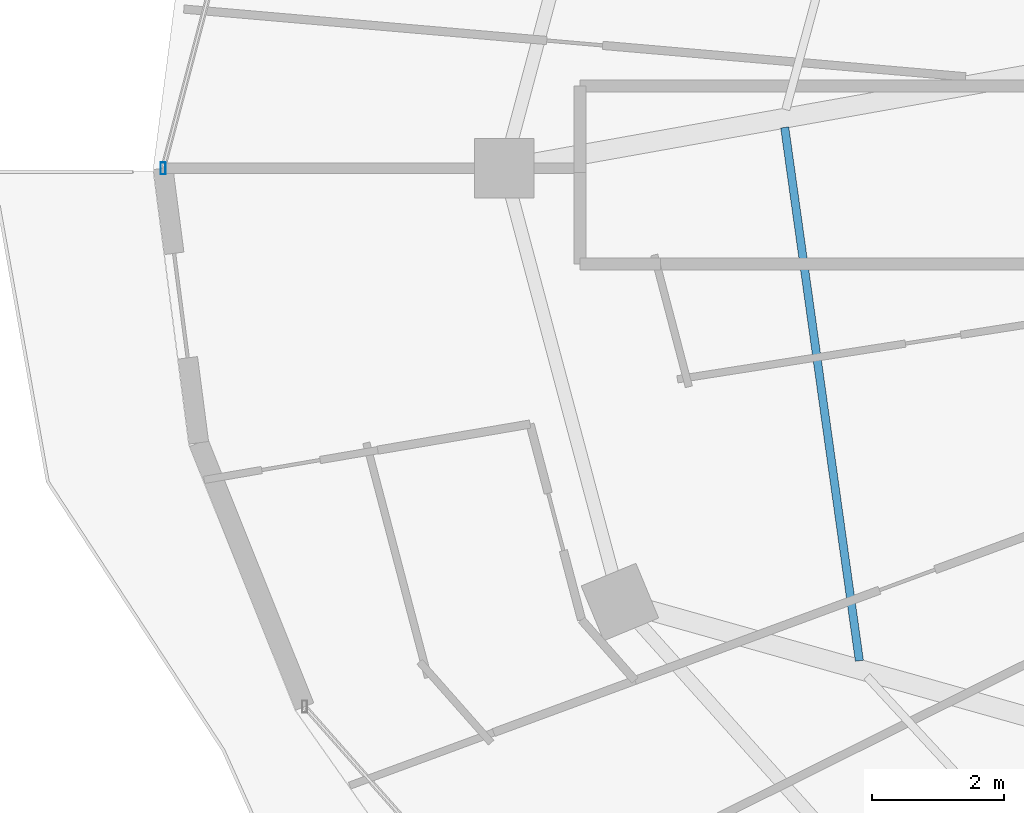
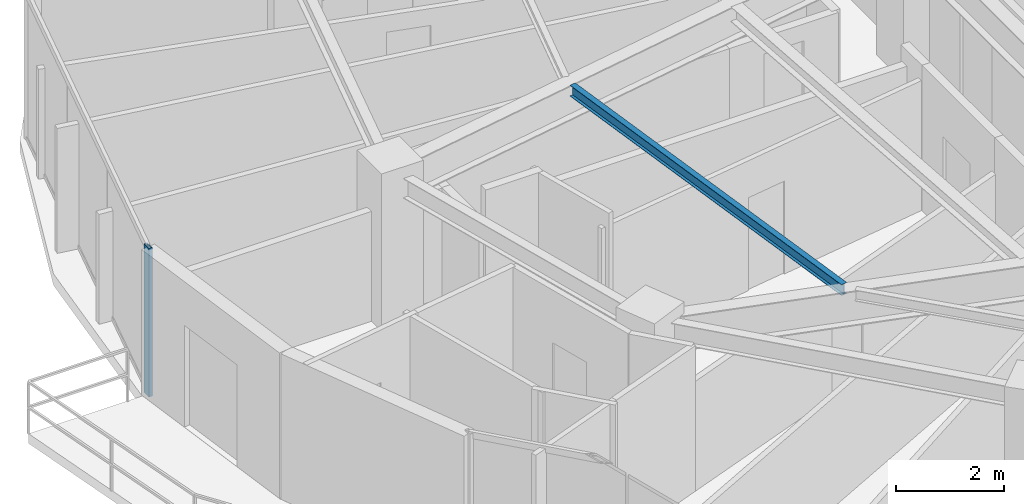
# One storey, part 7 of 33: 1 beam, 1 member, 1 element without a shape of its own.
"""IFC4 building model written with IfcOpenShell, lengths in metres."""

from ifc_helpers import new_model, si_unit, direction, frame, origin, origin_2d, place, context, subcontext, project, spatial, hollow_rectangle, i_section, extrude, material, material_profile, profile_set, type_object, element, aggregate, save


model = new_model("IFC4")

# Units and contexts
model_context = context("Model", 3, precision=1e-05, world=origin(), true_north=direction((0.0, 1.0)))
body_context = subcontext(model_context, "Body", "Model", "MODEL_VIEW")
ifc_project = project(units=[si_unit("LENGTHUNIT", "METRE"), si_unit("AREAUNIT", "SQUARE_METRE"), si_unit("VOLUMEUNIT", "CUBIC_METRE"), si_unit("PLANEANGLEUNIT", "RADIAN"), si_unit("MASSUNIT", "GRAM", prefix="KILO")], contexts=[model_context])

# Site, building, storey
site_placement = place(None, origin())
site = spatial("IfcSite", under=ifc_project, at=site_placement, CompositionType="ELEMENT")
building_placement = place(site_placement, origin())
building = spatial("IfcBuilding", under=site, at=building_placement, Name="Vorneva Point Tower", CompositionType="ELEMENT")
storey_placement = place(building_placement, frame((0.0, 0.0, 203.64990234375)))
storey = spatial("IfcBuildingStorey", under=building, at=storey_placement, Name="L55", CompositionType="ELEMENT", Elevation=203.64990234375)

# Beam
ifc_material_1 = material(Name="Steel S355", Category="steel")
ifc_material_profile_1 = material_profile(ifc_material_1, i_section(OverallWidth=0.1240234375, OverallDepth=0.248046875, WebThickness=0.0048828125, FlangeThickness=0.008056640625, at=origin_2d()), Name="25B1")
ifc_profile_set_1 = profile_set([ifc_material_profile_1], Name="Steel S355")
beam_type = type_object("IfcBeamType", Name="BM-JST-25B1", PredefinedType="JOIST", material=ifc_profile_set_1)
beam_placement = place(storey_placement, frame((19.20654296875, 26.62109375, 3.166015625), z_axis=(0.138644329347, -0.990342238794, 0.0), x_axis=(0.990342238794, 0.138644329347, 0.0)))
element("IfcBeam", 1, at=beam_placement, inside=storey, type_object=beam_type, Name="L55 Secondary Floor Beam 1.09", PredefinedType="JOIST", context=body_context, shape_type="SweptSolid", body=[
    extrude(i_section(OverallWidth=0.1240234375, OverallDepth=0.248046875, WebThickness=0.0048828125, FlangeThickness=0.008056640625, at=origin_2d()), origin(), (0.0, 0.0, 1.0), 8.174072265625),
])

# Curtain wall, member
ifc_material_2 = material(Name="Pale anodised aluminium", Category="aluminium")
curtain_wall_type = type_object("IfcCurtainWallType", Name="CW-RES-SYS", PredefinedType="NOTDEFINED", material=ifc_material_2)
curtain_wall_placement = place(storey_placement, origin())
curtain_wall = element("IfcCurtainWall", 2, at=curtain_wall_placement, inside=storey, type_object=curtain_wall_type, Name="L55 Unitised Curtain Wall CW-L55-R02", PredefinedType="NOTDEFINED")
ifc_material_profile_2 = material_profile(ifc_material_2, hollow_rectangle(XDim=0.074951171875, YDim=0.179931640625, WallThickness=0.00390625, at=origin_2d()), Name="AL-MUL 180x75x4")
ifc_profile_set_2 = profile_set([ifc_material_profile_2], Name="Pale anodised aluminium")
member_type = type_object("IfcMemberType", Name="CW-MUL-180", PredefinedType="MULLION", material=ifc_profile_set_2)
member_placement = place(storey_placement, frame((9.77001953125, 26.0, -0.039794921875), z_axis=(0.0, 0.0, 1.0), x_axis=(1.0, 0.0, 0.0)))
member = element("IfcMember", 3, at=member_placement, type_object=member_type, Name="CW-L55-R02 Mullion 03", PredefinedType="MULLION", context=body_context, shape_type="SweptSolid", body=[
    extrude(hollow_rectangle(XDim=0.074951171875, YDim=0.179931640625, WallThickness=0.00390625, at=origin_2d()), origin(), (0.0, 0.0, 1.0), 3.35986328125),
])
aggregate(curtain_wall, [member])

save(model, "model.ifc")
